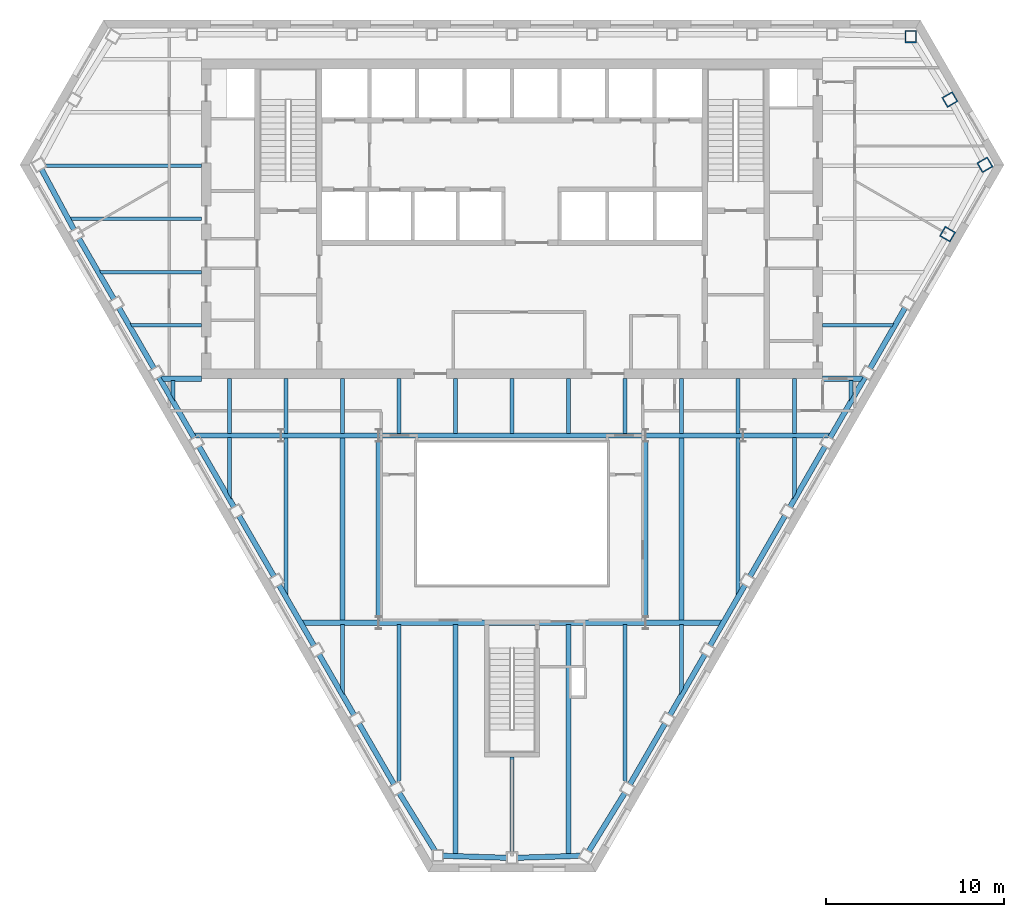
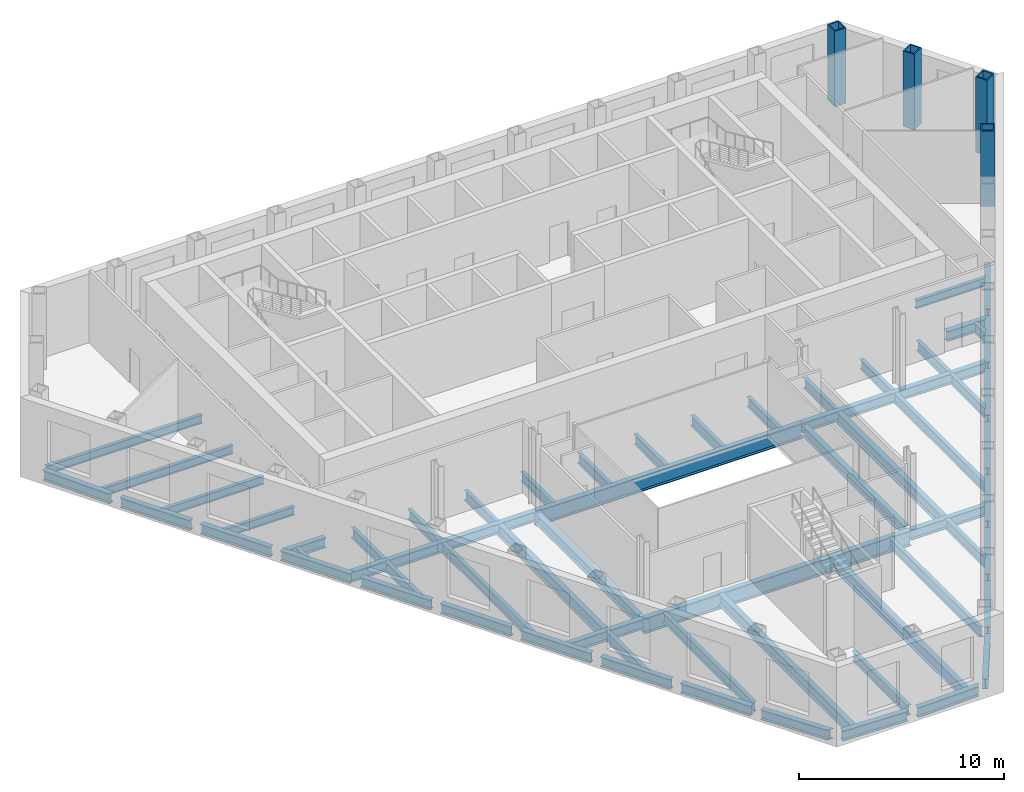
# One storey, part 2 of 11: 63 beams, 4 columns.
"""IFC4 building model written with IfcOpenShell, lengths in metres."""

from ifc_helpers import new_model, si_unit, direction, frame, origin, origin_2d, place, context, subcontext, project, spatial, hollow_rectangle, i_section, extrude, clip, halfspace, material, material_profile, profile_set, type_object, element, save


model = new_model("IFC4")

# Units and contexts
model_context = context("Model", 3, precision=1e-05, world=origin(), true_north=direction((0.0, 1.0)))
body_context = subcontext(model_context, "Body", "Model", "MODEL_VIEW")
ifc_project = project(units=[si_unit("LENGTHUNIT", "METRE"), si_unit("AREAUNIT", "SQUARE_METRE"), si_unit("VOLUMEUNIT", "CUBIC_METRE"), si_unit("PLANEANGLEUNIT", "RADIAN"), si_unit("MASSUNIT", "GRAM", prefix="KILO")], contexts=[model_context])

# Site, building, storey
site_placement = place(None, origin())
site = spatial("IfcSite", under=ifc_project, at=site_placement, CompositionType="ELEMENT")
building_placement = place(site_placement, origin())
building = spatial("IfcBuilding", under=site, at=building_placement, Name="Njiva Tower", CompositionType="ELEMENT")
storey_placement = place(building_placement, frame((0.0, 0.0, 129.3)))
storey = spatial("IfcBuildingStorey", under=building, at=storey_placement, Name="L27", CompositionType="ELEMENT", Elevation=129.3)

# Columns
ifc_material = material(Name="Steel S355 J2", Category="steel")
ifc_material_profile_1 = material_profile(ifc_material, hollow_rectangle(XDim=0.65, YDim=0.7, WallThickness=0.065, at=origin_2d()), Name="BOX 700x650x65")
ifc_profile_set_1 = profile_set([ifc_material_profile_1], Name="Steel S355 J2")
column_type = type_object("IfcColumnType", Name="C7 Perimeter tube column BOX 700x650x65", PredefinedType="COLUMN", material=ifc_profile_set_1)
for number, where, z_axis, x_axis, name in (
    (1, (22.461, 19.267, 0.0), (0.0, 0.0, 1.0), (-1.0, 0.0, 0.0), "Perimeter tube column S09-C01"),
    (2, (24.532, 8.138, 0.0), (0.0, 0.0, 1.0), (0.5, 0.866025403784, 0.0), "Perimeter tube column S09-C34"),
    (3, (26.633, 12.042, 0.0), (0.0, 0.0, 1.0), (-0.5, 0.866025403784, 0.0), "Perimeter tube column S09-C35"),
    (4, (24.662, 15.721, 0.0), (0.0, 0.0, 1.0), (-0.5, 0.866025403784, 0.0), "Perimeter tube column S09-C36"),
):
    element("IfcColumn", number, at=place(storey_placement, frame(where, z_axis=z_axis, x_axis=x_axis)), inside=storey, type_object=column_type, Name=name, PredefinedType="COLUMN", context=body_context, shape_type="SweptSolid", body=[
        extrude(hollow_rectangle(XDim=0.65, YDim=0.7, WallThickness=0.065, at=origin_2d()), origin(), (0.0, 0.0, 1.0), 4.5),
    ])

# Beams
ifc_material_profile_2 = material_profile(ifc_material, i_section(OverallWidth=0.3, OverallDepth=0.69, WebThickness=0.0145, FlangeThickness=0.027, at=origin_2d()), Name="HEA 700")
ifc_profile_set_2 = profile_set([ifc_material_profile_2], Name="Steel S355 J2")
beam_type_1 = type_object("IfcBeamType", Name="B12 Long-span floor joist HEA 700", PredefinedType="JOIST", material=ifc_profile_set_2)
beam_1_placement = place(storey_placement, frame((-9.55, -3.3, -0.545), z_axis=(0.0, -1.0, 0.0), x_axis=(1.0, 0.0, 0.0)))
element("IfcBeam", 5, at=beam_1_placement, inside=storey, type_object=beam_type_1, Name="Long-span floor joist S09-B060", PredefinedType="JOIST", context=body_context, shape_type="SweptSolid", body=[
    extrude(i_section(OverallWidth=0.3, OverallDepth=0.69, WebThickness=0.0145, FlangeThickness=0.027, at=origin_2d()), origin(), (0.0, 0.0, 1.0), 10.35),
])
for number, where, z_axis, x_axis, name in (
    (6, (-3.183, -13.851, -0.545), (0.0, -1.0, 0.0), (1.0, 0.0, 0.0), "Long-span floor joist S09-B065"),
    (7, (3.183, -13.851, -0.545), (0.0, -1.0, 0.0), (1.0, 0.0, 0.0), "Long-span floor joist S09-B070"),
):
    element("IfcBeam", number, at=place(storey_placement, frame(where, z_axis=z_axis, x_axis=x_axis)), inside=storey, type_object=beam_type_1, Name=name, PredefinedType="JOIST", context=body_context, shape_type="SweptSolid", body=[
        extrude(i_section(OverallWidth=0.3, OverallDepth=0.69, WebThickness=0.0145, FlangeThickness=0.027, at=origin_2d()), origin(), (0.0, 0.0, 1.0), 12.94),
    ])
beam_2_placement = place(storey_placement, frame((9.55, -3.3, -0.545), z_axis=(0.0, -1.0, 0.0), x_axis=(1.0, 0.0, 0.0)))
element("IfcBeam", 8, at=beam_2_placement, inside=storey, type_object=beam_type_1, Name="Long-span floor joist S09-B076", PredefinedType="JOIST", context=body_context, shape_type="SweptSolid", body=[
    extrude(i_section(OverallWidth=0.3, OverallDepth=0.69, WebThickness=0.0145, FlangeThickness=0.027, at=origin_2d()), origin(), (0.0, 0.0, 1.0), 10.35),
])
ifc_material_profile_3 = material_profile(ifc_material, i_section(OverallWidth=0.22, OverallDepth=0.6, WebThickness=0.012, FlangeThickness=0.019, at=origin_2d()), Name="IPE 600")
ifc_profile_set_3 = profile_set([ifc_material_profile_3], Name="Steel S355 J2")
beam_type_2 = type_object("IfcBeamType", Name="B13 Floor joist IPE 600", PredefinedType="JOIST", material=ifc_profile_set_3)
beam_3_placement = place(storey_placement, frame((-12.733, -3.3, -0.5), z_axis=(0.0, -1.0, 0.0), x_axis=(1.0, 0.0, 0.0)))
element("IfcBeam", 9, at=beam_3_placement, inside=storey, type_object=beam_type_2, Name="Floor joist S09-B057", PredefinedType="JOIST", context=body_context, shape_type="Clipping", body=[
    clip(extrude(i_section(OverallWidth=0.22, OverallDepth=0.6, WebThickness=0.012, FlangeThickness=0.019, at=origin_2d()), origin(), (0.0, 0.0, 1.0), 9.009), halfspace(frame((-0.0436, 0.0, 8.7233), z_axis=(-0.866026552831, 0.0, 0.499998009787), x_axis=(0.0, 1.0, 0.0)), False)),
])
beam_4_placement = place(storey_placement, frame((-6.367, -13.851, -0.5), z_axis=(0.0, -1.0, 0.0), x_axis=(1.0, 0.0, 0.0)))
element("IfcBeam", 10, at=beam_4_placement, inside=storey, type_object=beam_type_2, Name="Floor joist S09-B063", PredefinedType="JOIST", context=body_context, shape_type="Clipping", body=[
    clip(extrude(i_section(OverallWidth=0.22, OverallDepth=0.6, WebThickness=0.012, FlangeThickness=0.019, at=origin_2d()), origin(), (0.0, 0.0, 1.0), 8.928), halfspace(frame((0.0253, 0.0, 8.8299), z_axis=(0.499998009787, 0.0, 0.866026552831), x_axis=(0.0, 1.0, 0.0)), False)),
])
beam_5_placement = place(storey_placement, frame((0.0, -21.3, -0.5), z_axis=(0.0, -1.0, 0.0), x_axis=(1.0, 0.0, 0.0)))
element("IfcBeam", 11, at=beam_5_placement, inside=storey, type_object=beam_type_2, Name="Floor joist S09-B068", PredefinedType="JOIST", context=body_context, shape_type="SweptSolid", body=[
    extrude(i_section(OverallWidth=0.22, OverallDepth=0.6, WebThickness=0.012, FlangeThickness=0.019, at=origin_2d()), origin(), (0.0, 0.0, 1.0), 5.395),
])
beam_6_placement = place(storey_placement, frame((6.367, -13.851, -0.5), z_axis=(0.0, -1.0, 0.0), x_axis=(1.0, 0.0, 0.0)))
element("IfcBeam", 12, at=beam_6_placement, inside=storey, type_object=beam_type_2, Name="Floor joist S09-B073", PredefinedType="JOIST", context=body_context, shape_type="Clipping", body=[
    clip(extrude(i_section(OverallWidth=0.22, OverallDepth=0.6, WebThickness=0.012, FlangeThickness=0.019, at=origin_2d()), origin(), (0.0, 0.0, 1.0), 8.928), halfspace(frame((-0.0253, 0.0, 8.8299), z_axis=(-0.499998009787, 0.0, 0.866026552831), x_axis=(0.0, 1.0, 0.0)), False)),
])
beam_7_placement = place(storey_placement, frame((12.733, -3.3, -0.5), z_axis=(0.0, -1.0, 0.0), x_axis=(1.0, 0.0, 0.0)))
element("IfcBeam", 13, at=beam_7_placement, inside=storey, type_object=beam_type_2, Name="Floor joist S09-B078", PredefinedType="JOIST", context=body_context, shape_type="Clipping", body=[
    clip(extrude(i_section(OverallWidth=0.22, OverallDepth=0.6, WebThickness=0.012, FlangeThickness=0.019, at=origin_2d()), origin(), (0.0, 0.0, 1.0), 9.009), halfspace(frame((0.0436, 0.0, 8.7233), z_axis=(0.866026552831, 0.0, 0.499998009787), x_axis=(0.0, 1.0, 0.0)), False)),
])
ifc_material_profile_4 = material_profile(ifc_material, i_section(OverallWidth=0.22, OverallDepth=0.6, WebThickness=0.012, FlangeThickness=0.019, at=origin_2d()), Name="IPE 600")
ifc_profile_set_4 = profile_set([ifc_material_profile_4], Name="Steel S355 J2")
beam_type_3 = type_object("IfcBeamType", Name="B14 Short-span floor joist IPE 600", PredefinedType="JOIST", material=ifc_profile_set_4)
beam_8_placement = place(storey_placement, frame((-19.1, -0.1, -0.5), z_axis=(0.0, -1.0, 0.0), x_axis=(1.0, 0.0, 0.0)))
element("IfcBeam", 14, at=beam_8_placement, inside=storey, type_object=beam_type_3, Name="Short-span floor joist S09-B054", PredefinedType="JOIST", context=body_context, shape_type="Clipping", body=[
    clip(extrude(i_section(OverallWidth=0.22, OverallDepth=0.6, WebThickness=0.012, FlangeThickness=0.019, at=origin_2d()), origin(), (0.0, 0.0, 1.0), 1.182), halfspace(frame((-0.0433, 0.0, 0.8959), z_axis=(-0.866026552831, 0.0, 0.499998009787), x_axis=(0.0, 1.0, 0.0)), False)),
])
beam_9_placement = place(storey_placement, frame((-15.917, -0.005, -0.5), z_axis=(0.0, -1.0, 0.0), x_axis=(1.0, 0.0, 0.0)))
element("IfcBeam", 15, at=beam_9_placement, inside=storey, type_object=beam_type_3, Name="Short-span floor joist S09-B056", PredefinedType="JOIST", context=body_context, shape_type="SweptSolid", body=[
    extrude(i_section(OverallWidth=0.22, OverallDepth=0.6, WebThickness=0.012, FlangeThickness=0.019, at=origin_2d()), origin(), (0.0, 0.0, 1.0), 3.095),
])
beam_10_placement = place(storey_placement, frame((-15.917, -3.3, -0.5), z_axis=(0.0, -1.0, 0.0), x_axis=(1.0, 0.0, 0.0)))
element("IfcBeam", 16, at=beam_10_placement, inside=storey, type_object=beam_type_3, Name="Short-span floor joist S09-B055", PredefinedType="JOIST", context=body_context, shape_type="Clipping", body=[
    clip(extrude(i_section(OverallWidth=0.22, OverallDepth=0.6, WebThickness=0.012, FlangeThickness=0.019, at=origin_2d()), origin(), (0.0, 0.0, 1.0), 3.496), halfspace(frame((-0.043, 0.0, 3.2096), z_axis=(-0.866026552831, 0.0, 0.499998009787), x_axis=(0.0, 1.0, 0.0)), False)),
])
for number, where, z_axis, x_axis, name in (
    (17, (-12.733, -0.005, -0.5), (0.0, -1.0, 0.0), (1.0, 0.0, 0.0), "Short-span floor joist S09-B058"),
    (18, (-9.55, -0.005, -0.5), (0.0, -1.0, 0.0), (1.0, 0.0, 0.0), "Short-span floor joist S09-B061"),
):
    element("IfcBeam", number, at=place(storey_placement, frame(where, z_axis=z_axis, x_axis=x_axis)), inside=storey, type_object=beam_type_3, Name=name, PredefinedType="JOIST", context=body_context, shape_type="SweptSolid", body=[
        extrude(i_section(OverallWidth=0.22, OverallDepth=0.6, WebThickness=0.012, FlangeThickness=0.019, at=origin_2d()), origin(), (0.0, 0.0, 1.0), 3.095),
    ])
beam_11_placement = place(storey_placement, frame((-9.55, -13.85, -0.5), z_axis=(0.0, -1.0, 0.0), x_axis=(1.0, 0.0, 0.0)))
element("IfcBeam", 19, at=beam_11_placement, inside=storey, type_object=beam_type_3, Name="Short-span floor joist S09-B059", PredefinedType="JOIST", context=body_context, shape_type="Clipping", body=[
    clip(extrude(i_section(OverallWidth=0.22, OverallDepth=0.6, WebThickness=0.012, FlangeThickness=0.019, at=origin_2d()), origin(), (0.0, 0.0, 1.0), 3.973), halfspace(frame((-0.0433, 0.0, 3.687), z_axis=(-0.866026552831, 0.0, 0.499998009787), x_axis=(0.0, 1.0, 0.0)), False)),
])
for number, where, z_axis, x_axis, name in (
    (20, (-6.367, -0.005, -0.5), (0.0, -1.0, 0.0), (1.0, 0.0, 0.0), "Short-span floor joist S09-B064"),
    (21, (-3.183, -0.005, -0.5), (0.0, -1.0, 0.0), (1.0, 0.0, 0.0), "Short-span floor joist S09-B066"),
    (22, (0.0, -0.005, -0.5), (0.0, -1.0, 0.0), (1.0, 0.0, 0.0), "Short-span floor joist S09-B069"),
    (23, (3.183, -0.005, -0.5), (0.0, -1.0, 0.0), (1.0, 0.0, 0.0), "Short-span floor joist S09-B071"),
    (24, (6.367, -0.005, -0.5), (0.0, -1.0, 0.0), (1.0, 0.0, 0.0), "Short-span floor joist S09-B074"),
):
    element("IfcBeam", number, at=place(storey_placement, frame(where, z_axis=z_axis, x_axis=x_axis)), inside=storey, type_object=beam_type_3, Name=name, PredefinedType="JOIST", context=body_context, shape_type="SweptSolid", body=[
        extrude(i_section(OverallWidth=0.22, OverallDepth=0.6, WebThickness=0.012, FlangeThickness=0.019, at=origin_2d()), origin(), (0.0, 0.0, 1.0), 3.094),
    ])
beam_12_placement = place(storey_placement, frame((9.55, -0.005, -0.5), z_axis=(0.0, -1.0, 0.0), x_axis=(1.0, 0.0, 0.0)))
element("IfcBeam", 25, at=beam_12_placement, inside=storey, type_object=beam_type_3, Name="Short-span floor joist S09-B077", PredefinedType="JOIST", context=body_context, shape_type="SweptSolid", body=[
    extrude(i_section(OverallWidth=0.22, OverallDepth=0.6, WebThickness=0.012, FlangeThickness=0.019, at=origin_2d()), origin(), (0.0, 0.0, 1.0), 3.095),
])
beam_13_placement = place(storey_placement, frame((9.55, -13.85, -0.5), z_axis=(0.0, -1.0, 0.0), x_axis=(1.0, 0.0, 0.0)))
element("IfcBeam", 26, at=beam_13_placement, inside=storey, type_object=beam_type_3, Name="Short-span floor joist S09-B075", PredefinedType="JOIST", context=body_context, shape_type="Clipping", body=[
    clip(extrude(i_section(OverallWidth=0.22, OverallDepth=0.6, WebThickness=0.012, FlangeThickness=0.019, at=origin_2d()), origin(), (0.0, 0.0, 1.0), 3.973), halfspace(frame((0.0433, 0.0, 3.687), z_axis=(0.866026552831, 0.0, 0.499998009787), x_axis=(0.0, 1.0, 0.0)), False)),
])
for number, where, z_axis, x_axis, name in (
    (27, (12.733, -0.005, -0.5), (0.0, -1.0, 0.0), (1.0, 0.0, 0.0), "Short-span floor joist S09-B079"),
    (28, (15.917, -0.005, -0.5), (0.0, -1.0, 0.0), (1.0, 0.0, 0.0), "Short-span floor joist S09-B081"),
):
    element("IfcBeam", number, at=place(storey_placement, frame(where, z_axis=z_axis, x_axis=x_axis)), inside=storey, type_object=beam_type_3, Name=name, PredefinedType="JOIST", context=body_context, shape_type="SweptSolid", body=[
        extrude(i_section(OverallWidth=0.22, OverallDepth=0.6, WebThickness=0.012, FlangeThickness=0.019, at=origin_2d()), origin(), (0.0, 0.0, 1.0), 3.095),
    ])
beam_14_placement = place(storey_placement, frame((15.917, -3.3, -0.5), z_axis=(0.0, -1.0, 0.0), x_axis=(1.0, 0.0, 0.0)))
element("IfcBeam", 29, at=beam_14_placement, inside=storey, type_object=beam_type_3, Name="Short-span floor joist S09-B080", PredefinedType="JOIST", context=body_context, shape_type="Clipping", body=[
    clip(extrude(i_section(OverallWidth=0.22, OverallDepth=0.6, WebThickness=0.012, FlangeThickness=0.019, at=origin_2d()), origin(), (0.0, 0.0, 1.0), 3.496), halfspace(frame((0.043, 0.0, 3.2096), z_axis=(0.866026552831, 0.0, 0.499998009787), x_axis=(0.0, 1.0, 0.0)), False)),
])
beam_15_placement = place(storey_placement, frame((19.1, -0.1, -0.5), z_axis=(0.0, -1.0, 0.0), x_axis=(1.0, 0.0, 0.0)))
element("IfcBeam", 30, at=beam_15_placement, inside=storey, type_object=beam_type_3, Name="Short-span floor joist S09-B082", PredefinedType="JOIST", context=body_context, shape_type="Clipping", body=[
    clip(extrude(i_section(OverallWidth=0.22, OverallDepth=0.6, WebThickness=0.012, FlangeThickness=0.019, at=origin_2d()), origin(), (0.0, 0.0, 1.0), 1.182), halfspace(frame((0.0433, 0.0, 0.8959), z_axis=(0.866026552831, 0.0, 0.499998009787), x_axis=(0.0, 1.0, 0.0)), False)),
])
ifc_material_profile_5 = material_profile(ifc_material, i_section(OverallWidth=0.3, OverallDepth=0.6, WebThickness=0.0155, FlangeThickness=0.03, at=origin_2d()), Name="HEB 600")
ifc_profile_set_5 = profile_set([ifc_material_profile_5], Name="Steel S355 J2")
beam_type_4 = type_object("IfcBeamType", Name="B20 Floor girder HEB 600", PredefinedType="BEAM", material=ifc_profile_set_5)
beam_16_placement = place(storey_placement, frame((-17.978, -3.2, -0.5), z_axis=(1.0, 0.0, 0.0), x_axis=(0.0, 1.0, 0.0)))
element("IfcBeam", 31, at=beam_16_placement, inside=storey, type_object=beam_type_4, Name="Floor girder S09-B017", PredefinedType="BEAM", context=body_context, shape_type="Clipping", body=[
    clip(extrude(i_section(OverallWidth=0.3, OverallDepth=0.6, WebThickness=0.0155, FlangeThickness=0.03, at=origin_2d()), origin(), (0.0, 0.0, 1.0), 4.978), halfspace(frame((-0.025, 0.0, 0.1217), z_axis=(-0.499998009787, 0.0, -0.866026552831), x_axis=(0.0, -1.0, 0.0)), False)),
])
for number, where, z_axis, x_axis, name in (
    (32, (-13.0, -3.2, -0.5), (1.0, 0.0, 0.0), (0.0, 1.0, 0.0), "Floor girder S09-B018"),
    (33, (7.51, -3.2, -0.5), (1.0, 0.0, 0.0), (0.0, 1.0, 0.0), "Floor girder S09-B021"),
):
    element("IfcBeam", number, at=place(storey_placement, frame(where, z_axis=z_axis, x_axis=x_axis)), inside=storey, type_object=beam_type_4, Name=name, PredefinedType="BEAM", context=body_context, shape_type="SweptSolid", body=[
        extrude(i_section(OverallWidth=0.3, OverallDepth=0.6, WebThickness=0.0155, FlangeThickness=0.03, at=origin_2d()), origin(), (0.0, 0.0, 1.0), 5.49),
    ])
beam_17_placement = place(storey_placement, frame((13.0, -3.2, -0.5), z_axis=(1.0, 0.0, 0.0), x_axis=(0.0, 1.0, 0.0)))
element("IfcBeam", 34, at=beam_17_placement, inside=storey, type_object=beam_type_4, Name="Floor girder S09-B022", PredefinedType="BEAM", context=body_context, shape_type="Clipping", body=[
    clip(extrude(i_section(OverallWidth=0.3, OverallDepth=0.6, WebThickness=0.0155, FlangeThickness=0.03, at=origin_2d()), origin(), (0.0, 0.0, 1.0), 4.978), halfspace(frame((-0.025, 0.0, 4.8563), z_axis=(-0.499998009787, 0.0, 0.866026552831), x_axis=(0.0, 1.0, 0.0)), False)),
])
ifc_material_profile_6 = material_profile(ifc_material, i_section(OverallWidth=0.3, OverallDepth=0.6, WebThickness=0.0155, FlangeThickness=0.03, at=origin_2d()), Name="HEB 600")
ifc_profile_set_6 = profile_set([ifc_material_profile_6], Name="Steel S355 J2")
beam_type_5 = type_object("IfcBeamType", Name="B21 Short-span floor girder HEB 600", PredefinedType="BEAM", material=ifc_profile_set_6)
beam_18_placement = place(storey_placement, frame((-11.887, -13.75, -0.5), z_axis=(1.0, 0.0, 0.0), x_axis=(0.0, 1.0, 0.0)))
element("IfcBeam", 35, at=beam_18_placement, inside=storey, type_object=beam_type_5, Name="Short-span floor girder S09-B019", PredefinedType="BEAM", context=body_context, shape_type="Clipping", body=[
    clip(extrude(i_section(OverallWidth=0.3, OverallDepth=0.6, WebThickness=0.0155, FlangeThickness=0.03, at=origin_2d()), origin(), (0.0, 0.0, 1.0), 4.377), halfspace(frame((-0.025, 0.0, 0.1217), z_axis=(-0.499998009787, 0.0, -0.866026552831), x_axis=(0.0, -1.0, 0.0)), False)),
])
beam_19_placement = place(storey_placement, frame((7.51, -13.75, -0.5), z_axis=(1.0, 0.0, 0.0), x_axis=(0.0, 1.0, 0.0)))
element("IfcBeam", 36, at=beam_19_placement, inside=storey, type_object=beam_type_5, Name="Short-span floor girder S09-B020", PredefinedType="BEAM", context=body_context, shape_type="Clipping", body=[
    clip(extrude(i_section(OverallWidth=0.3, OverallDepth=0.6, WebThickness=0.0155, FlangeThickness=0.03, at=origin_2d()), origin(), (0.0, 0.0, 1.0), 4.377), halfspace(frame((-0.025, 0.0, 4.2553), z_axis=(-0.499998009787, 0.0, 0.866026552831), x_axis=(0.0, 1.0, 0.0)), False)),
])
beam_20_placement = place(storey_placement, frame((-19.825, 0.0, -0.5), z_axis=(1.0, 0.0, 0.0), x_axis=(0.0, 1.0, 0.0)))
element("IfcBeam", 37, at=beam_20_placement, inside=storey, type_object=beam_type_5, Name="Short-span floor girder S09-B016", PredefinedType="BEAM", context=body_context, shape_type="Clipping", body=[
    clip(extrude(i_section(OverallWidth=0.3, OverallDepth=0.6, WebThickness=0.0155, FlangeThickness=0.03, at=origin_2d()), origin(), (0.0, 0.0, 1.0), 2.325), halfspace(frame((-0.025, 0.0, 0.1211), z_axis=(-0.499998009787, 0.0, -0.866026552831), x_axis=(0.0, -1.0, 0.0)), False)),
])
beam_21_placement = place(storey_placement, frame((17.5, 0.0, -0.5), z_axis=(1.0, 0.0, 0.0), x_axis=(0.0, 1.0, 0.0)))
element("IfcBeam", 38, at=beam_21_placement, inside=storey, type_object=beam_type_5, Name="Short-span floor girder S09-B023", PredefinedType="BEAM", context=body_context, shape_type="Clipping", body=[
    clip(extrude(i_section(OverallWidth=0.3, OverallDepth=0.6, WebThickness=0.0155, FlangeThickness=0.03, at=origin_2d()), origin(), (0.0, 0.0, 1.0), 2.325), halfspace(frame((-0.025, 0.0, 2.2039), z_axis=(-0.499998009787, 0.0, 0.866026552831), x_axis=(0.0, 1.0, 0.0)), False)),
])
ifc_material_profile_7 = material_profile(ifc_material, i_section(OverallWidth=0.3, OverallDepth=0.6, WebThickness=0.0155, FlangeThickness=0.03, at=origin_2d()), Name="HEB 600")
ifc_profile_set_7 = profile_set([ifc_material_profile_7], Name="Steel S355 J2")
beam_type_6 = type_object("IfcBeamType", Name="B23 Long-span atrium trimmer beam HEB 600", PredefinedType="BEAM", material=ifc_profile_set_7)
for number, where, z_axis, x_axis, name in (
    (39, (7.51, -13.442, -0.5), (0.0, 1.0, 0.0), (-1.0, 0.0, 0.0), "Long-span atrium trimmer beam S09-B088"),
    (40, (-7.51, -3.508, -0.5), (0.0, -1.0, 0.0), (1.0, 0.0, 0.0), "Long-span atrium trimmer beam S09-B085"),
):
    element("IfcBeam", number, at=place(storey_placement, frame(where, z_axis=z_axis, x_axis=x_axis)), inside=storey, type_object=beam_type_6, Name=name, PredefinedType="BEAM", context=body_context, shape_type="SweptSolid", body=[
        extrude(i_section(OverallWidth=0.3, OverallDepth=0.6, WebThickness=0.0155, FlangeThickness=0.03, at=origin_2d()), origin(), (0.0, 0.0, 1.0), 9.934),
    ])
ifc_material_profile_8 = material_profile(ifc_material, i_section(OverallWidth=0.2, OverallDepth=0.5, WebThickness=0.0102, FlangeThickness=0.016, at=origin_2d()), Name="IPE 500")
ifc_profile_set_8 = profile_set([ifc_material_profile_8], Name="Steel S355 J2")
beam_type_7 = type_object("IfcBeamType", Name="B24 Floor beam to the core IPE 500", PredefinedType="BEAM", material=ifc_profile_set_8)
beam_22_placement = place(storey_placement, frame((-23.26, 6.0, -0.45), z_axis=(1.0, 0.0, 0.0), x_axis=(0.0, 1.0, 0.0)))
element("IfcBeam", 41, at=beam_22_placement, inside=storey, type_object=beam_type_7, Name="Floor beam to the core S09-B005", PredefinedType="BEAM", context=body_context, shape_type="Clipping", body=[
    clip(extrude(i_section(OverallWidth=0.2, OverallDepth=0.5, WebThickness=0.0102, FlangeThickness=0.016, at=origin_2d()), origin(), (0.0, 0.0, 1.0), 5.76), halfspace(frame((-0.025, 0.0, 0.092), z_axis=(-0.499998009787, 0.0, -0.866026552831), x_axis=(0.0, -1.0, 0.0)), False)),
])
beam_23_placement = place(storey_placement, frame((-24.956, 9.0, -0.45), z_axis=(1.0, 0.0, 0.0), x_axis=(0.0, 1.0, 0.0)))
element("IfcBeam", 42, at=beam_23_placement, inside=storey, type_object=beam_type_7, Name="Floor beam to the core S09-B004", PredefinedType="BEAM", context=body_context, shape_type="Clipping", body=[
    clip(extrude(i_section(OverallWidth=0.2, OverallDepth=0.5, WebThickness=0.0102, FlangeThickness=0.016, at=origin_2d()), origin(), (0.0, 0.0, 1.0), 7.456), halfspace(frame((-0.0237, 0.0, 0.0863), z_axis=(-0.473769423091, 0.0, -0.880648927634), x_axis=(0.0, -1.0, 0.0)), False)),
])
beam_24_placement = place(storey_placement, frame((-26.34, 12.0, -0.45), z_axis=(1.0, 0.0, 0.0), x_axis=(0.0, 1.0, 0.0)))
element("IfcBeam", 43, at=beam_24_placement, inside=storey, type_object=beam_type_7, Name="Floor beam to the core S09-B002", PredefinedType="BEAM", context=body_context, shape_type="Clipping", body=[
    clip(extrude(i_section(OverallWidth=0.2, OverallDepth=0.5, WebThickness=0.0102, FlangeThickness=0.016, at=origin_2d()), origin(), (0.0, 0.0, 1.0), 8.84), halfspace(frame((-0.025, 0.0, 0.0921), z_axis=(-0.499998009787, 0.0, -0.866026552831), x_axis=(0.0, -1.0, 0.0)), False)),
])
ifc_material_profile_9 = material_profile(ifc_material, i_section(OverallWidth=0.2, OverallDepth=0.5, WebThickness=0.0102, FlangeThickness=0.016, at=origin_2d()), Name="IPE 500")
ifc_profile_set_9 = profile_set([ifc_material_profile_9], Name="Steel S355 J2")
beam_type_8 = type_object("IfcBeamType", Name="B25 Short-span floor beam to the core IPE 500", PredefinedType="BEAM", material=ifc_profile_set_9)
beam_25_placement = place(storey_placement, frame((-21.528, 3.0, -0.45), z_axis=(1.0, 0.0, 0.0), x_axis=(0.0, 1.0, 0.0)))
element("IfcBeam", 44, at=beam_25_placement, inside=storey, type_object=beam_type_8, Name="Short-span floor beam to the core S09-B007", PredefinedType="BEAM", context=body_context, shape_type="Clipping", body=[
    clip(extrude(i_section(OverallWidth=0.2, OverallDepth=0.5, WebThickness=0.0102, FlangeThickness=0.016, at=origin_2d()), origin(), (0.0, 0.0, 1.0), 4.028), halfspace(frame((-0.025, 0.0, 0.0921), z_axis=(-0.499998009787, 0.0, -0.866026552831), x_axis=(0.0, -1.0, 0.0)), False)),
])
beam_26_placement = place(storey_placement, frame((17.5, 3.0, -0.45), z_axis=(1.0, 0.0, 0.0), x_axis=(0.0, 1.0, 0.0)))
element("IfcBeam", 45, at=beam_26_placement, inside=storey, type_object=beam_type_8, Name="Short-span floor beam to the core S09-B008", PredefinedType="BEAM", context=body_context, shape_type="Clipping", body=[
    clip(extrude(i_section(OverallWidth=0.2, OverallDepth=0.5, WebThickness=0.0102, FlangeThickness=0.016, at=origin_2d()), origin(), (0.0, 0.0, 1.0), 4.028), halfspace(frame((-0.025, 0.0, 3.9359), z_axis=(-0.499998009787, 0.0, 0.866026552831), x_axis=(0.0, 1.0, 0.0)), False)),
])
ifc_material_profile_10 = material_profile(ifc_material, i_section(OverallWidth=0.3, OverallDepth=0.6, WebThickness=0.0155, FlangeThickness=0.03, at=origin_2d()), Name="HEB 600")
ifc_profile_set_10 = profile_set([ifc_material_profile_10], Name="Steel S355 J2")
beam_type_9 = type_object("IfcBeamType", Name="B3 Short-span spandrel beam HEB 600", PredefinedType="SPANDREL", material=ifc_profile_set_10)
beam_27_placement = place(storey_placement, frame((-26.501, 11.797, -0.5), z_axis=(0.473838311097, -0.880611863954, 0.0), x_axis=(0.880611863954, 0.473838311097, 0.0)))
element("IfcBeam", 46, at=beam_27_placement, inside=storey, type_object=beam_type_9, Name="Short-span spandrel beam S09-B090", PredefinedType="SPANDREL", context=body_context, shape_type="SweptSolid", body=[
    extrude(i_section(OverallWidth=0.3, OverallDepth=0.6, WebThickness=0.0155, FlangeThickness=0.03, at=origin_2d()), origin(), (0.0, 0.0, 1.0), 3.8768),
])
beam_28_placement = place(storey_placement, frame((-24.395, 7.9, -0.5), z_axis=(0.500079715141, -0.865979375335, 0.0), x_axis=(0.865979375335, 0.500079715141, 0.0)))
element("IfcBeam", 47, at=beam_28_placement, inside=storey, type_object=beam_type_9, Name="Short-span spandrel beam S09-B095", PredefinedType="SPANDREL", context=body_context, shape_type="SweptSolid", body=[
    extrude(i_section(OverallWidth=0.3, OverallDepth=0.6, WebThickness=0.0155, FlangeThickness=0.03, at=origin_2d()), origin(), (0.0, 0.0, 1.0), 3.9574),
])
for number, where, z_axis, x_axis, name in (
    (48, (-22.141, 3.997, -0.5), (0.499970304126, -0.866042548026, 0.0), (0.866042548026, 0.499970304126, 0.0), "Short-span spandrel beam S09-B097"),
    (49, (-19.887, 0.093, -0.5), (0.499970304126, -0.866042548026, 0.0), (0.866042548026, 0.499970304126, 0.0), "Short-span spandrel beam S09-B101"),
    (50, (-17.633, -3.811, -0.5), (0.499970304126, -0.866042548026, 0.0), (0.866042548026, 0.499970304126, 0.0), "Short-span spandrel beam S09-B105"),
):
    element("IfcBeam", number, at=place(storey_placement, frame(where, z_axis=z_axis, x_axis=x_axis)), inside=storey, type_object=beam_type_9, Name=name, PredefinedType="SPANDREL", context=body_context, shape_type="SweptSolid", body=[
        extrude(i_section(OverallWidth=0.3, OverallDepth=0.6, WebThickness=0.0155, FlangeThickness=0.03, at=origin_2d()), origin(), (0.0, 0.0, 1.0), 3.9582),
    ])
beam_29_placement = place(storey_placement, frame((-15.379, -7.715, -0.5), z_axis=(0.499890179513, -0.866088799389, 0.0), x_axis=(0.866088799389, 0.499890179513, 0.0)))
element("IfcBeam", 51, at=beam_29_placement, inside=storey, type_object=beam_type_9, Name="Short-span spandrel beam S09-B107", PredefinedType="SPANDREL", context=body_context, shape_type="SweptSolid", body=[
    extrude(i_section(OverallWidth=0.3, OverallDepth=0.6, WebThickness=0.0155, FlangeThickness=0.03, at=origin_2d()), origin(), (0.0, 0.0, 1.0), 3.9569),
])
for number, where, z_axis, x_axis, name in (
    (52, (-13.126, -11.618, -0.5), (0.499970304126, -0.866042548026, 0.0), (0.866042548026, 0.499970304126, 0.0), "Short-span spandrel beam S09-B110"),
    (53, (-10.872, -15.522, -0.5), (0.499970304126, -0.866042548026, 0.0), (0.866042548026, 0.499970304126, 0.0), "Short-span spandrel beam S09-B112"),
):
    element("IfcBeam", number, at=place(storey_placement, frame(where, z_axis=z_axis, x_axis=x_axis)), inside=storey, type_object=beam_type_9, Name=name, PredefinedType="SPANDREL", context=body_context, shape_type="SweptSolid", body=[
        extrude(i_section(OverallWidth=0.3, OverallDepth=0.6, WebThickness=0.0155, FlangeThickness=0.03, at=origin_2d()), origin(), (0.0, 0.0, 1.0), 3.9582),
    ])
beam_30_placement = place(storey_placement, frame((-8.618, -19.426, -0.5), z_axis=(0.499890179513, -0.866088799389, 0.0), x_axis=(0.866088799389, 0.499890179513, 0.0)))
element("IfcBeam", 54, at=beam_30_placement, inside=storey, type_object=beam_type_9, Name="Short-span spandrel beam S09-B115", PredefinedType="SPANDREL", context=body_context, shape_type="SweptSolid", body=[
    extrude(i_section(OverallWidth=0.3, OverallDepth=0.6, WebThickness=0.0155, FlangeThickness=0.03, at=origin_2d()), origin(), (0.0, 0.0, 1.0), 3.9569),
])
beam_31_placement = place(storey_placement, frame((-6.356, -23.328, -0.5), z_axis=(0.525784036921, -0.85061809675, 0.0), x_axis=(0.85061809675, 0.525784036921, 0.0)))
element("IfcBeam", 55, at=beam_31_placement, inside=storey, type_object=beam_type_9, Name="Short-span spandrel beam S09-B117", PredefinedType="SPANDREL", context=body_context, shape_type="Clipping", body=[
    clip(extrude(i_section(OverallWidth=0.3, OverallDepth=0.6, WebThickness=0.0155, FlangeThickness=0.03, at=origin_2d()), origin(), (0.0, 0.0, 1.0), 3.9149), halfspace(frame((-0.026, 0.0, 3.7859), z_axis=(-0.525784036921, 0.0, 0.85061809675), x_axis=(0.0, 1.0, 0.0)), False)),
])
beam_32_placement = place(storey_placement, frame((-3.892, -26.871, -0.5), z_axis=(0.999493825897, -0.031813393296, 0.0), x_axis=(0.031813393296, 0.999493825897, 0.0)))
element("IfcBeam", 56, at=beam_32_placement, inside=storey, type_object=beam_type_9, Name="Short-span spandrel beam S09-B121", PredefinedType="SPANDREL", context=body_context, shape_type="SweptSolid", body=[
    extrude(i_section(OverallWidth=0.3, OverallDepth=0.6, WebThickness=0.0155, FlangeThickness=0.03, at=origin_2d()), origin(), (0.0, 0.0, 1.0), 3.6148),
])
beam_33_placement = place(storey_placement, frame((0.279, -26.986, -0.5), z_axis=(0.999490629438, 0.031913659544, 0.0), x_axis=(-0.031913659544, 0.999490629438, 0.0)))
element("IfcBeam", 57, at=beam_33_placement, inside=storey, type_object=beam_type_9, Name="Short-span spandrel beam S09-B123", PredefinedType="SPANDREL", context=body_context, shape_type="Clipping", body=[
    clip(extrude(i_section(OverallWidth=0.3, OverallDepth=0.6, WebThickness=0.0155, FlangeThickness=0.03, at=origin_2d()), origin(), (0.0, 0.0, 1.0), 3.6538), halfspace(frame((-0.0267, 0.0, 3.5245), z_axis=(-0.527381402083, 0.0, 0.849628658143), x_axis=(0.0, 1.0, 0.0)), False)),
])
beam_34_placement = place(storey_placement, frame((4.318, -26.625, -0.5), z_axis=(0.525794946338, 0.850611353325, 0.0), x_axis=(-0.850611353325, 0.525794946338, 0.0)))
element("IfcBeam", 58, at=beam_34_placement, inside=storey, type_object=beam_type_9, Name="Short-span spandrel beam S09-B126", PredefinedType="SPANDREL", context=body_context, shape_type="SweptSolid", body=[
    extrude(i_section(OverallWidth=0.3, OverallDepth=0.6, WebThickness=0.0155, FlangeThickness=0.03, at=origin_2d()), origin(), (0.0, 0.0, 1.0), 3.876),
])
beam_35_placement = place(storey_placement, frame((6.64, -22.853, -0.5), z_axis=(0.499890179513, 0.866088799389, 0.0), x_axis=(-0.866088799389, 0.499890179513, 0.0)))
element("IfcBeam", 59, at=beam_35_placement, inside=storey, type_object=beam_type_9, Name="Short-span spandrel beam S09-B129", PredefinedType="SPANDREL", context=body_context, shape_type="SweptSolid", body=[
    extrude(i_section(OverallWidth=0.3, OverallDepth=0.6, WebThickness=0.0155, FlangeThickness=0.03, at=origin_2d()), origin(), (0.0, 0.0, 1.0), 3.9569),
])
for number, where, z_axis, x_axis, name in (
    (60, (8.893, -18.95, -0.5), (0.499970304126, 0.866042548026, 0.0), (-0.866042548026, 0.499970304126, 0.0), "Short-span spandrel beam S09-B131"),
    (61, (11.147, -15.046, -0.5), (0.499970304126, 0.866042548026, 0.0), (-0.866042548026, 0.499970304126, 0.0), "Short-span spandrel beam S09-B134"),
):
    element("IfcBeam", number, at=place(storey_placement, frame(where, z_axis=z_axis, x_axis=x_axis)), inside=storey, type_object=beam_type_9, Name=name, PredefinedType="SPANDREL", context=body_context, shape_type="SweptSolid", body=[
        extrude(i_section(OverallWidth=0.3, OverallDepth=0.6, WebThickness=0.0155, FlangeThickness=0.03, at=origin_2d()), origin(), (0.0, 0.0, 1.0), 3.9582),
    ])
beam_36_placement = place(storey_placement, frame((13.401, -11.142, -0.5), z_axis=(0.499890179513, 0.866088799389, 0.0), x_axis=(-0.866088799389, 0.499890179513, 0.0)))
element("IfcBeam", 62, at=beam_36_placement, inside=storey, type_object=beam_type_9, Name="Short-span spandrel beam S09-B136", PredefinedType="SPANDREL", context=body_context, shape_type="SweptSolid", body=[
    extrude(i_section(OverallWidth=0.3, OverallDepth=0.6, WebThickness=0.0155, FlangeThickness=0.03, at=origin_2d()), origin(), (0.0, 0.0, 1.0), 3.9569),
])
for number, where, z_axis, x_axis, name in (
    (63, (15.654, -7.239, -0.5), (0.499970304126, 0.866042548026, 0.0), (-0.866042548026, 0.499970304126, 0.0), "Short-span spandrel beam S09-B140"),
    (64, (17.908, -3.335, -0.5), (0.499970304126, 0.866042548026, 0.0), (-0.866042548026, 0.499970304126, 0.0), "Short-span spandrel beam S09-B142"),
    (65, (20.162, 0.569, -0.5), (0.499970304126, 0.866042548026, 0.0), (-0.866042548026, 0.499970304126, 0.0), "Short-span spandrel beam S09-B146"),
):
    element("IfcBeam", number, at=place(storey_placement, frame(where, z_axis=z_axis, x_axis=x_axis)), inside=storey, type_object=beam_type_9, Name=name, PredefinedType="SPANDREL", context=body_context, shape_type="SweptSolid", body=[
        extrude(i_section(OverallWidth=0.3, OverallDepth=0.6, WebThickness=0.0155, FlangeThickness=0.03, at=origin_2d()), origin(), (0.0, 0.0, 1.0), 3.9582),
    ])
ifc_material_profile_11 = material_profile(ifc_material, i_section(OverallWidth=0.302, OverallDepth=0.91, WebThickness=0.021, FlangeThickness=0.04, at=origin_2d()), Name="HEM 900")
ifc_profile_set_11 = profile_set([ifc_material_profile_11], Name="Steel S355 J2")
beam_type_10 = type_object("IfcBeamType", Name="B8 Long-span atrium trimmer beam HEM 900", PredefinedType="BEAM", material=ifc_profile_set_11)
for number, where, z_axis, x_axis, name in (
    (66, (-7.51, -13.75, -0.655), (1.0, 0.0, 0.0), (0.0, 1.0, 0.0), "Long-span atrium trimmer beam S09-B084"),
    (67, (7.51, -3.2, -0.655), (-1.0, 0.0, 0.0), (0.0, -1.0, 0.0), "Long-span atrium trimmer beam S09-B086"),
):
    element("IfcBeam", number, at=place(storey_placement, frame(where, z_axis=z_axis, x_axis=x_axis)), inside=storey, type_object=beam_type_10, Name=name, PredefinedType="BEAM", context=body_context, shape_type="SweptSolid", body=[
        extrude(i_section(OverallWidth=0.302, OverallDepth=0.91, WebThickness=0.021, FlangeThickness=0.04, at=origin_2d()), origin(), (0.0, 0.0, 1.0), 15.02),
    ])

save(model, "model.ifc")
